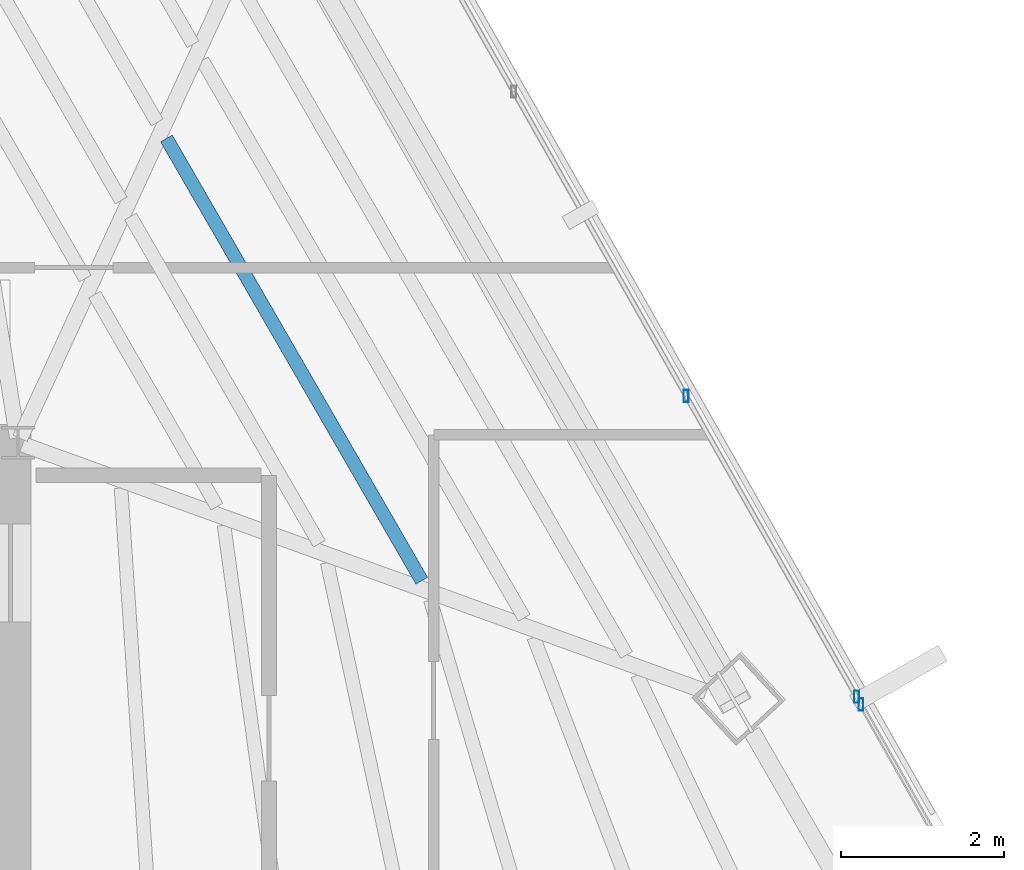
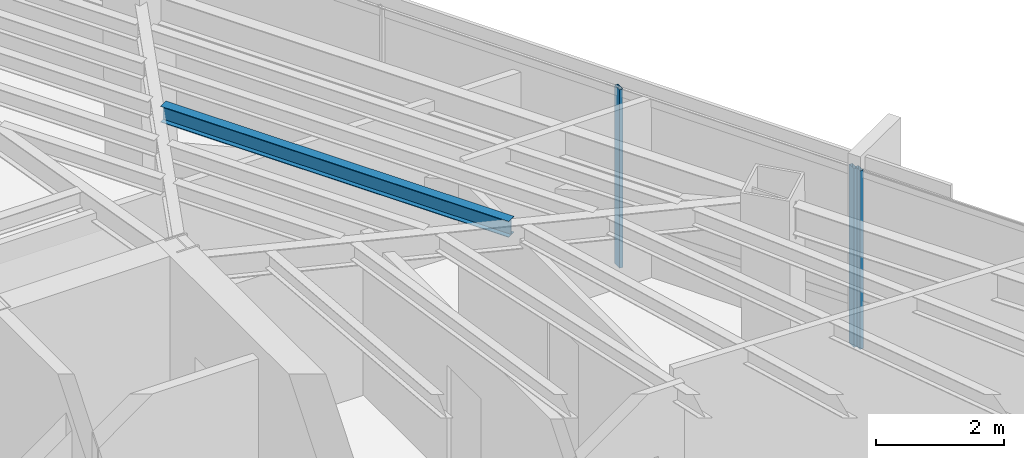
# One storey, part 26 of 41: 3 members, 1 beam, 2 elements without a shape of their own.
"""IFC4 building model written with IfcOpenShell, lengths in metres."""

from ifc_helpers import new_model, si_unit, direction, frame, origin, origin_2d, place, context, subcontext, project, spatial, hollow_rectangle, i_section, extrude, source, transform, mapped, material, material_profile, profile_set, type_object, type_shapes, element, aggregate, save


model = new_model("IFC4")

# Units and contexts
model_context = context("Model", 3, precision=1e-05, world=origin(), true_north=direction((0.0, 1.0)))
body_context = subcontext(model_context, "Body", "Model", "MODEL_VIEW")
ifc_project = project(units=[si_unit("LENGTHUNIT", "METRE"), si_unit("AREAUNIT", "SQUARE_METRE"), si_unit("VOLUMEUNIT", "CUBIC_METRE"), si_unit("PLANEANGLEUNIT", "RADIAN"), si_unit("MASSUNIT", "GRAM", prefix="KILO")], contexts=[model_context])

# Site, building, storey
site_placement = place(None, origin())
site = spatial("IfcSite", under=ifc_project, at=site_placement, CompositionType="ELEMENT")
building_placement = place(site_placement, origin())
building = spatial("IfcBuilding", under=site, at=building_placement, Name="Caelisora Broadcast Tower", CompositionType="ELEMENT")
storey_placement = place(building_placement, frame((0.0, 0.0, 209.60009765625)))
storey = spatial("IfcBuildingStorey", under=building, at=storey_placement, Name="L55", CompositionType="ELEMENT", Elevation=209.60009765625)

# Beam
ifc_material_1 = material(Name="Steel Grade 350 (AS/NZS 3679.1)", Category="steel")
ifc_material_profile_1 = material_profile(ifc_material_1, i_section(OverallWidth=0.166015625, OverallDepth=0.30712890625, WebThickness=0.006591796875, FlangeThickness=0.01171875, at=origin_2d()), Name="Steel Grade 350 (AS/NZS 3679.1)")
ifc_profile_set_1 = profile_set([ifc_material_profile_1], Name="Steel Grade 350 (AS/NZS 3679.1)")
beam_type = type_object("IfcBeamType", Name="SB03", PredefinedType="JOIST", material=ifc_profile_set_1)
shared_shape_1 = source(origin(), body_context, "Body", "SweptSolid", [
    extrude(i_section(OverallWidth=0.166015625, OverallDepth=0.30712890625, WebThickness=0.006591796875, FlangeThickness=0.01171875, at=origin_2d()), origin(), (0.0, 0.0, 1.0), 6.267333984375),
])
type_shapes(beam_type, [shared_shape_1])
beam_placement = place(storey_placement, frame((50.455078125, 28.30615234375, 3.246337890625), z_axis=(-0.500010190713, 0.866019520094, 0.0), x_axis=(-0.866019520094, -0.500010190713, 0.0)))
element("IfcBeam", 1, at=beam_placement, inside=storey, type_object=beam_type, Name="L55 beam SB03", PredefinedType="JOIST", context=body_context, shape_type="MappedRepresentation", body=[
    mapped(shared_shape_1, transform((0.0, 0.0, 0.0), scale=1.0)),
])

# Curtain wall, members
ifc_material_2 = material(Name="Unitised Aluminium Insulated Shadow-Box Spandrel Curtain Wall", Category="aluminium")
curtain_wall_type_1 = type_object("IfcCurtainWallType", Name="CW-SP2", PredefinedType="NOTDEFINED", material=ifc_material_2)
curtain_wall_1_placement = place(storey_placement, origin())
curtain_wall_1 = element("IfcCurtainWall", 2, at=curtain_wall_1_placement, inside=storey, type_object=curtain_wall_type_1, Name="L55 curtain wall CW-SP2", PredefinedType="NOTDEFINED")
ifc_material_3 = material(Name="Aluminium 6063-T6 Anodised Terracotta Bronze", Category="aluminium")
ifc_material_profile_2 = material_profile(ifc_material_3, hollow_rectangle(XDim=0.06005859375, YDim=0.14990234375, WallThickness=0.00341796875, at=origin_2d()), Name="Aluminium 6063-T6 Anodised Terracotta Bronze")
ifc_profile_set_2 = profile_set([ifc_material_profile_2], Name="Aluminium 6063-T6 Anodised Terracotta Bronze")
member_type = type_object("IfcMemberType", Name="CWM-03", PredefinedType="MULLION", material=ifc_profile_set_2)
shared_shape_2 = source(origin(), body_context, "Body", "SweptSolid", [
    extrude(hollow_rectangle(XDim=0.06005859375, YDim=0.14990234375, WallThickness=0.00341796875, at=origin_2d()), origin(), (0.0, 0.0, 1.0), 3.39990234375),
])
type_shapes(member_type, [shared_shape_2])
member_1_placement = place(storey_placement, frame((53.69970703125, 30.573486328125, 0.0), z_axis=(0.0, 0.0, 1.0), x_axis=(1.0, 0.0, 0.0)))
member_1 = element("IfcMember", 3, at=member_1_placement, type_object=member_type, Name="L55-CW-B02 mullion #2", PredefinedType="MULLION", context=body_context, shape_type="MappedRepresentation", body=[
    mapped(shared_shape_2, transform((0.0, 0.0, 0.0), scale=1.0)),
])
member_2_placement = place(storey_placement, frame((55.79150390625, 26.882080078125, 0.0), z_axis=(0.0, 0.0, 1.0), x_axis=(1.0, 0.0, 0.0)))
member_2 = element("IfcMember", 4, at=member_2_placement, type_object=member_type, Name="L55-CW-B02 mullion #3", PredefinedType="MULLION", context=body_context, shape_type="MappedRepresentation", body=[
    mapped(shared_shape_2, transform((0.0, 0.0, 0.0), scale=1.0)),
])
aggregate(curtain_wall_1, [member_1, member_2])

# Curtain wall, member
ifc_material_4 = material(Name="Unitised Aluminium and Low-E Glass Curtain Wall", Category="glass")
curtain_wall_type_2 = type_object("IfcCurtainWallType", Name="CW-Z4", PredefinedType="NOTDEFINED", material=ifc_material_4)
curtain_wall_2_placement = place(storey_placement, origin())
curtain_wall_2 = element("IfcCurtainWall", 5, at=curtain_wall_2_placement, inside=storey, type_object=curtain_wall_type_2, Name="L55 curtain wall CW-Z4", PredefinedType="NOTDEFINED")
member_3_placement = place(storey_placement, frame((55.845703125, 26.786376953125, 0.0), z_axis=(0.0, 0.0, 1.0), x_axis=(1.0, 0.0, 0.0)))
member_3 = element("IfcMember", 6, at=member_3_placement, type_object=member_type, Name="L55-CW-B03 mullion #0", PredefinedType="MULLION", context=body_context, shape_type="MappedRepresentation", body=[
    mapped(shared_shape_2, transform((0.0, 0.0, 0.0), scale=1.0)),
])
aggregate(curtain_wall_2, [member_3])

save(model, "model.ifc")
